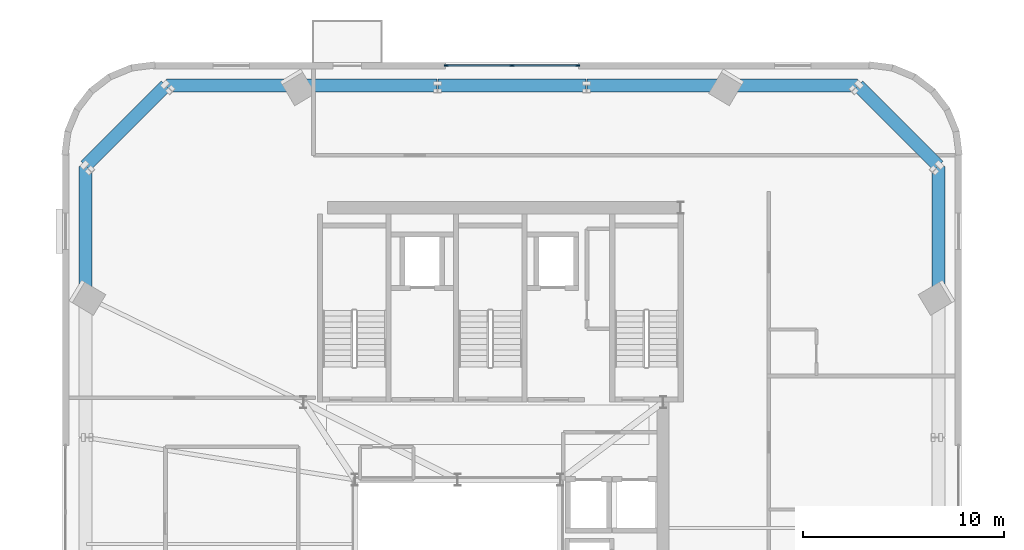
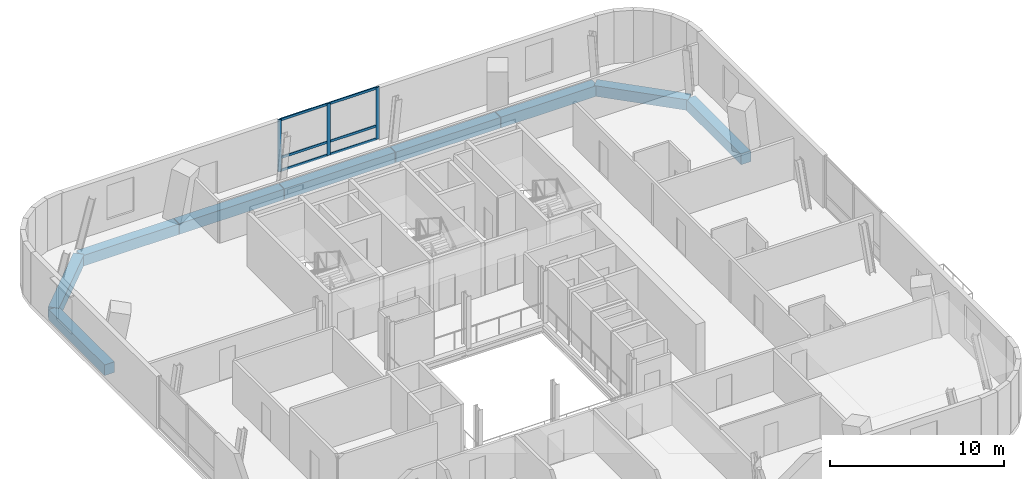
# One storey, part 6 of 15: 9 beams, 9 members, 1 element without a shape of its own.
"""IFC4 building model written with IfcOpenShell, lengths in metres."""

from ifc_helpers import new_model, si_unit, direction, frame, origin, origin_2d, place, context, subcontext, project, spatial, rectangle, extrude, source, transform, mapped, material, material_profile, profile_set, type_object, element, aggregate, save


model = new_model("IFC4")

# Units and contexts
model_context = context("Model", 3, precision=1e-05, world=origin(), true_north=direction((0.0, 1.0)))
body_context = subcontext(model_context, "Body", "Model", "MODEL_VIEW")
ifc_project = project(units=[si_unit("LENGTHUNIT", "METRE"), si_unit("AREAUNIT", "SQUARE_METRE"), si_unit("VOLUMEUNIT", "CUBIC_METRE"), si_unit("PLANEANGLEUNIT", "RADIAN"), si_unit("MASSUNIT", "GRAM", prefix="KILO")], contexts=[model_context])

# Site, building, storey
site_placement = place(None, origin())
site = spatial("IfcSite", under=ifc_project, at=site_placement, CompositionType="ELEMENT")
building_placement = place(site_placement, origin())
building = spatial("IfcBuilding", under=site, at=building_placement, Name="Vardaveli Station Tower", CompositionType="ELEMENT")
storey_placement = place(building_placement, frame((0.0, 0.0, 262.449951171875)))
storey = spatial("IfcBuildingStorey", under=building, at=storey_placement, Name="L67", CompositionType="ELEMENT", Elevation=262.449951171875)

# Beams
ifc_material_1 = material(Name="Precast concrete C45/55", Category="concrete")
ifc_material_profile_1 = material_profile(ifc_material_1, rectangle(XDim=0.64990234375, YDim=0.75, at=origin_2d()), Name="LPB 650x750")
ifc_profile_set_1 = profile_set([ifc_material_profile_1], Name="Precast concrete C45/55")
beam_type = type_object("IfcBeamType", Name="BM-LPB-750", PredefinedType="BEAM", material=ifc_profile_set_1)
shared_shape_1 = source(origin(), body_context, "Body", "SweptSolid", [
    extrude(rectangle(XDim=0.64990234375, YDim=0.75, at=origin_2d()), origin(), (0.0, 0.0, 1.0), 7.35986328125),
])
beam_placement = place(storey_placement, frame((42.679931640625, 46.3701171875, -0.675048828125), z_axis=(-1.0, 0.0, 0.0), x_axis=(0.0, -1.0, 0.0)))
element("IfcBeam", 1, at=beam_placement, inside=storey, type_object=beam_type, Name="RBM-L67-14", PredefinedType="BEAM", context=body_context, shape_type="MappedRepresentation", body=[
    mapped(shared_shape_1, transform((0.0, 0.0, 0.0), scale=1.0)),
])
shared_shape_2 = source(origin(), body_context, "Body", "SweptSolid", [
    extrude(rectangle(XDim=0.64990234375, YDim=0.75, at=origin_2d()), origin(), (0.0, 0.0, 1.0), 6.9521484375),
])
for number, where, z_axis, x_axis, name in (
    (2, (49.672119140625, 46.3701171875, -0.675048828125), (-1.0, 0.0, 0.0), (0.0, -1.0, 0.0), "RBM-L67-13"),
    (3, (35.280029296875, 46.3701171875, -0.675048828125), (-1.0, 0.0, 0.0), (0.0, -1.0, 0.0), "RBM-L67-15"),
):
    element("IfcBeam", number, at=place(storey_placement, frame(where, z_axis=z_axis, x_axis=x_axis)), inside=storey, type_object=beam_type, Name=name, PredefinedType="BEAM", context=body_context, shape_type="MappedRepresentation", body=[
        mapped(shared_shape_2, transform((0.0, 0.0, 0.0), scale=1.0)),
    ])
shared_shape_3 = source(origin(), body_context, "Body", "SweptSolid", [
    extrude(rectangle(XDim=0.64990234375, YDim=0.75, at=origin_2d()), origin(), (0.0, 0.0, 1.0), 6.43798828125),
])
for number, where, z_axis, x_axis, name in (
    (4, (60.169921875, 35.912109375, -0.675048828125), (0.0, 1.0, 0.0), (-1.0, 0.0, 0.0), "RBM-L67-10"),
    (5, (56.14990234375, 46.3701171875, -0.675048828125), (-1.0, 0.0, 0.0), (0.0, -1.0, 0.0), "RBM-L67-12"),
    (6, (28.2880859375, 46.3701171875, -0.675048828125), (-1.0, 0.0, 0.0), (0.0, -1.0, 0.0), "RBM-L67-16"),
    (7, (17.830078125, 42.35009765625, -0.675048828125), (0.0, -1.0, 0.0), (1.0, 0.0, 0.0), "RBM-L67-18"),
):
    element("IfcBeam", number, at=place(storey_placement, frame(where, z_axis=z_axis, x_axis=x_axis)), inside=storey, type_object=beam_type, Name=name, PredefinedType="BEAM", context=body_context, shape_type="MappedRepresentation", body=[
        mapped(shared_shape_3, transform((0.0, 0.0, 0.0), scale=1.0)),
    ])
shared_shape_4 = source(origin(), body_context, "Body", "SweptSolid", [
    extrude(rectangle(XDim=0.64990234375, YDim=0.75, at=origin_2d()), origin(), (0.0, 0.0, 1.0), 5.616943359375),
])
for number, where, z_axis, x_axis, name in (
    (8, (60.15576171875, 42.384033203125, -0.675048828125), (-0.707085048462, 0.707128513243, 0.0), (-0.707128513243, -0.707085048462, 0.0), "RBM-L67-11"),
    (9, (21.81591796875, 46.35595703125, -0.675048828125), (-0.707085048462, -0.707128513243, 0.0), (0.707128513243, -0.707085048462, 0.0), "RBM-L67-17"),
):
    element("IfcBeam", number, at=place(storey_placement, frame(where, z_axis=z_axis, x_axis=x_axis)), inside=storey, type_object=beam_type, Name=name, PredefinedType="BEAM", context=body_context, shape_type="MappedRepresentation", body=[
        mapped(shared_shape_4, transform((0.0, 0.0, 0.0), scale=1.0)),
    ])

# Curtain wall, members
ifc_material_2 = material(Name="Travertine stone and solar-control glass", Category="masonry")
curtain_wall_type = type_object("IfcCurtainWallType", Name="CW-SYS-5", PredefinedType="NOTDEFINED", material=ifc_material_2)
curtain_wall_placement = place(storey_placement, origin())
curtain_wall = element("IfcCurtainWall", 10, at=curtain_wall_placement, inside=storey, type_object=curtain_wall_type, Name="CW-L67-N", PredefinedType="NOTDEFINED")
ifc_material_3 = material(Name="Anodised aluminium alloy 6063-T6", Category="aluminium")
ifc_material_profile_2 = material_profile(ifc_material_3, rectangle(XDim=0.080078125, YDim=0.1650390625, at=origin_2d()), Name="CWT 80x165")
ifc_profile_set_2 = profile_set([ifc_material_profile_2], Name="Anodised aluminium alloy 6063-T6")
member_type_1 = type_object("IfcMemberType", Name="CW-SYS-5-TRAN", PredefinedType="NOTDEFINED", material=ifc_profile_set_2)
shared_shape_5 = source(origin(), body_context, "Body", "SweptSolid", [
    extrude(rectangle(XDim=0.080078125, YDim=0.1650390625, at=origin_2d()), origin(), (0.0, 0.0, 1.0), 3.179931640625),
])
member_1_placement = place(storey_placement, frame((42.219970703125, 47.360107421875, 0.0400390625), z_axis=(-1.0, 0.0, 0.0), x_axis=(0.0, -1.0, 0.0)))
member_1 = element("IfcMember", 11, at=member_1_placement, type_object=member_type_1, Name="CW-5 transom 1.1", ObjectType="TRANSOM", PredefinedType="USERDEFINED", context=body_context, shape_type="MappedRepresentation", body=[
    mapped(shared_shape_5, transform((0.0, 0.0, 0.0), scale=1.0)),
])
member_2_placement = place(storey_placement, frame((42.219970703125, 47.360107421875, 0.949951171875), z_axis=(-1.0, 0.0, 0.0), x_axis=(0.0, -1.0, 0.0)))
member_2 = element("IfcMember", 12, at=member_2_placement, type_object=member_type_1, Name="CW-5 transom 1.2", ObjectType="TRANSOM", PredefinedType="USERDEFINED", context=body_context, shape_type="MappedRepresentation", body=[
    mapped(shared_shape_5, transform((0.0, 0.0, 0.0), scale=1.0)),
])
member_3_placement = place(storey_placement, frame((42.219970703125, 47.360107421875, 3.610107421875), z_axis=(-1.0, 0.0, 0.0), x_axis=(0.0, -1.0, 0.0)))
member_3 = element("IfcMember", 13, at=member_3_placement, type_object=member_type_1, Name="CW-5 transom 1.3", ObjectType="TRANSOM", PredefinedType="USERDEFINED", context=body_context, shape_type="MappedRepresentation", body=[
    mapped(shared_shape_5, transform((0.0, 0.0, 0.0), scale=1.0)),
])
member_4_placement = place(storey_placement, frame((38.9599609375, 47.360107421875, 0.0400390625), z_axis=(-1.0, 0.0, 0.0), x_axis=(0.0, -1.0, 0.0)))
member_4 = element("IfcMember", 14, at=member_4_placement, type_object=member_type_1, Name="CW-5 transom 2.1", ObjectType="TRANSOM", PredefinedType="USERDEFINED", context=body_context, shape_type="MappedRepresentation", body=[
    mapped(shared_shape_5, transform((0.0, 0.0, 0.0), scale=1.0)),
])
member_5_placement = place(storey_placement, frame((38.9599609375, 47.360107421875, 0.949951171875), z_axis=(-1.0, 0.0, 0.0), x_axis=(0.0, -1.0, 0.0)))
member_5 = element("IfcMember", 15, at=member_5_placement, type_object=member_type_1, Name="CW-5 transom 2.2", ObjectType="TRANSOM", PredefinedType="USERDEFINED", context=body_context, shape_type="MappedRepresentation", body=[
    mapped(shared_shape_5, transform((0.0, 0.0, 0.0), scale=1.0)),
])
member_6_placement = place(storey_placement, frame((38.9599609375, 47.360107421875, 3.610107421875), z_axis=(-1.0, 0.0, 0.0), x_axis=(0.0, -1.0, 0.0)))
member_6 = element("IfcMember", 16, at=member_6_placement, type_object=member_type_1, Name="CW-5 transom 2.3", ObjectType="TRANSOM", PredefinedType="USERDEFINED", context=body_context, shape_type="MappedRepresentation", body=[
    mapped(shared_shape_5, transform((0.0, 0.0, 0.0), scale=1.0)),
])
ifc_material_profile_3 = material_profile(ifc_material_3, rectangle(XDim=0.080078125, YDim=0.205078125, at=origin_2d()), Name="CWM 80x205")
ifc_profile_set_3 = profile_set([ifc_material_profile_3], Name="Anodised aluminium alloy 6063-T6")
member_type_2 = type_object("IfcMemberType", Name="CW-SYS-5-MULL", PredefinedType="MULLION", material=ifc_profile_set_3)
shared_shape_6 = source(origin(), body_context, "Body", "SweptSolid", [
    extrude(rectangle(XDim=0.080078125, YDim=0.205078125, at=origin_2d()), origin(), (0.0, 0.0, 1.0), 3.650146484375),
])
member_7_placement = place(storey_placement, frame((42.260009765625, 47.360107421875, 0.0), z_axis=(0.0, 0.0, 1.0), x_axis=(0.0, -1.0, 0.0)))
member_7 = element("IfcMember", 17, at=member_7_placement, type_object=member_type_2, Name="CW-5 mullion 1", PredefinedType="MULLION", context=body_context, shape_type="MappedRepresentation", body=[
    mapped(shared_shape_6, transform((0.0, 0.0, 0.0), scale=1.0)),
])
member_8_placement = place(storey_placement, frame((39.0, 47.360107421875, 0.0), z_axis=(0.0, 0.0, 1.0), x_axis=(0.0, -1.0, 0.0)))
member_8 = element("IfcMember", 18, at=member_8_placement, type_object=member_type_2, Name="CW-5 mullion 2", PredefinedType="MULLION", context=body_context, shape_type="MappedRepresentation", body=[
    mapped(shared_shape_6, transform((0.0, 0.0, 0.0), scale=1.0)),
])
member_9_placement = place(storey_placement, frame((35.739990234375, 47.360107421875, 0.0), z_axis=(0.0, 0.0, 1.0), x_axis=(0.0, -1.0, 0.0)))
member_9 = element("IfcMember", 19, at=member_9_placement, type_object=member_type_2, Name="CW-5 mullion 3", PredefinedType="MULLION", context=body_context, shape_type="MappedRepresentation", body=[
    mapped(shared_shape_6, transform((0.0, 0.0, 0.0), scale=1.0)),
])
aggregate(curtain_wall, [member_7, member_8, member_9, member_1, member_2, member_3, member_4, member_5, member_6])

save(model, "model.ifc")
